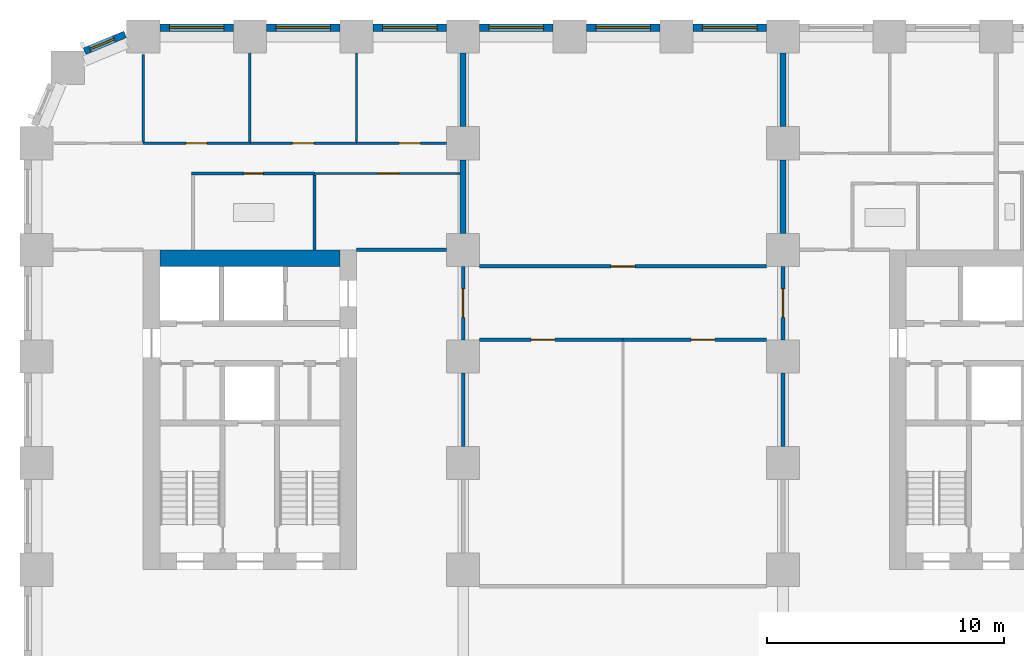
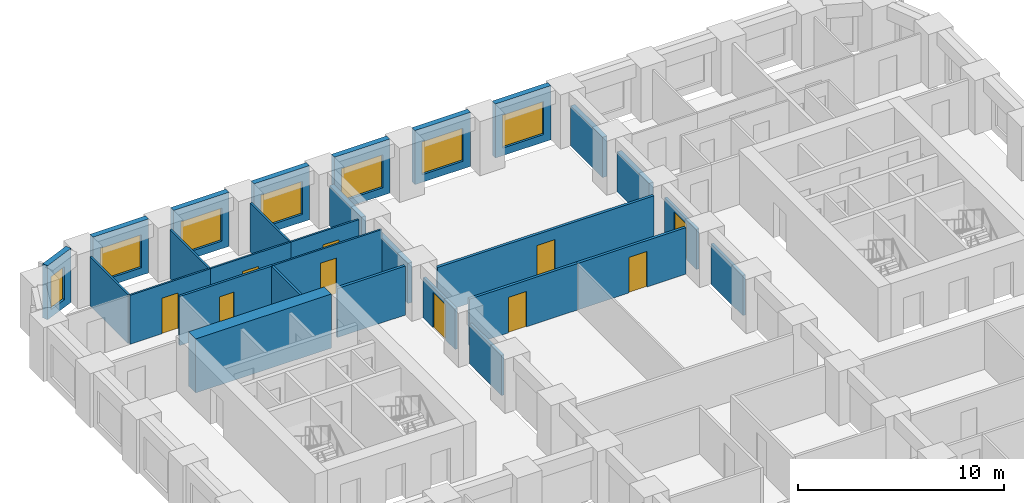
# One storey, part 7 of 12: 29 walls, 10 doors, 7 windows, 17 openings.
"""IFC4 building model written with IfcOpenShell, lengths in metres."""

import ifcopenshell
import ifcopenshell.guid

model = None  # the IFC model being written
_history = None  # IfcOwnerHistory: only IFC2X3 demands one
_inside = {}  # id of a spatial element -> (the spatial element, [elements in it])
_under = {}  # id of a project, library or spatial element -> (it, [spatial elements below it])
_declared = {}  # id of a project -> (the project, [libraries it declares])
_typed = {}  # id of a type object -> (the type object, [elements of that type])
_made_of = {}  # id of a material, layer set ... -> (it, [elements and type objects made of it])


def new_model(schema):
    """Start an empty IFC model of exactly this schema.

    Asked for "IFC4X3", IfcOpenShell would pick the latest addendum, in which some entities
    have other attributes; the version numbers below select the first issue.
    IFC2X3 requires an IfcOwnerHistory on every rooted entity: one is made here for all.
    """
    global model, _history
    if schema == "IFC4X3":
        model = ifcopenshell.file(schema_version=(4, 3, 0, 0))
    else:
        model = ifcopenshell.file(schema=schema)
    _inside.clear()
    _under.clear()
    _declared.clear()
    _typed.clear()
    _made_of.clear()
    _history = None
    if model.schema == "IFC2X3":
        org = make("IfcOrganization", Name="unknown")
        user = make(
            "IfcPersonAndOrganization",
            ThePerson=make("IfcPerson", FamilyName="unknown"),
            TheOrganization=org,
        )
        app = make(
            "IfcApplication",
            ApplicationDeveloper=org,
            Version="unknown",
            ApplicationFullName="unknown",
            ApplicationIdentifier="unknown",
        )
        _history = make(
            "IfcOwnerHistory",
            OwningUser=user,
            OwningApplication=app,
            ChangeAction="ADDED",
            CreationDate=0,
        )
    return model


def make(cls, **values):
    """One entity of the class cls with the attributes given. An attribute that is None is left unset."""
    return model.create_entity(
        cls, **{name: value for name, value in values.items() if value is not None}
    )


def rooted(cls, **values):
    """An entity with a GlobalId (a new one), such as an element, a storey or a relation."""
    return make(cls, GlobalId=ifcopenshell.guid.new(), OwnerHistory=_history, **values)


def si_unit(unit_type, name, prefix=None):
    """IfcSIUnit, for example si_unit("LENGTHUNIT", "METRE", prefix="MILLI")."""
    return make("IfcSIUnit", UnitType=unit_type, Prefix=prefix, Name=name)


def assignment(units):
    """IfcUnitAssignment: the units of a project."""
    return None if units is None else make("IfcUnitAssignment", Units=units)


def point(xyz):
    """IfcCartesianPoint."""
    return None if xyz is None else make("IfcCartesianPoint", Coordinates=xyz)


def direction(xyz):
    """IfcDirection."""
    return None if xyz is None else make("IfcDirection", DirectionRatios=xyz)


def frame(location, z_axis=None, x_axis=None):
    """IfcAxis2Placement3D, a coordinate frame: its origin and axes. An axis left out is left unset."""
    return make(
        "IfcAxis2Placement3D",
        Location=point(location),
        Axis=direction(z_axis),
        RefDirection=direction(x_axis),
    )


def frame_2d(location, x_axis=None):
    """IfcAxis2Placement2D, a coordinate frame in the plane: its origin and x axis."""
    return make(
        "IfcAxis2Placement2D", Location=point(location), RefDirection=direction(x_axis)
    )


def origin():
    """The frame at (0, 0, 0) with its axes left unset."""
    return frame((0.0, 0.0, 0.0))


def place(relative_to, where):
    """IfcLocalPlacement: puts the frame where relative to a parent placement (None: the world)."""
    return make(
        "IfcLocalPlacement", PlacementRelTo=relative_to, RelativePlacement=where
    )


def context(
    kind, dimensions, precision=None, world=None, true_north=None, identifier=None
):
    """IfcGeometricRepresentationContext, for example the 3D "Model" context."""
    return make(
        "IfcGeometricRepresentationContext",
        ContextIdentifier=identifier,
        ContextType=kind,
        CoordinateSpaceDimension=dimensions,
        Precision=precision,
        WorldCoordinateSystem=world,
        TrueNorth=true_north,
    )


def subcontext(parent, identifier, kind, view, scale=None):
    """IfcGeometricRepresentationSubContext, for example "Body" below "Model"."""
    return make(
        "IfcGeometricRepresentationSubContext",
        ContextIdentifier=identifier,
        ContextType=kind,
        ParentContext=parent,
        TargetScale=scale,
        TargetView=view,
    )


def project(units=None, contexts=None):
    """IfcProject with its units and contexts."""
    return rooted(
        "IfcProject",
        Name="project",
        RepresentationContexts=contexts,
        UnitsInContext=assignment(units),
    )


def spatial(cls, under=None, at=None, **own):
    """A site, building, storey or space (cls), placed at a placement, below another one or the project."""
    s = rooted(cls, ObjectPlacement=at, **own)
    if under is not None:
        _under.setdefault(under.id(), (under, []))[1].append(s)
    return s


def profile(cls, at=None, kind="AREA", **sizes):
    """A parametric profile (cls). Its sizes go by their IFC names, for example OverallWidth=200.0."""
    return make(cls, ProfileType=kind, Position=at, **sizes)


def rectangle(**sizes):
    """IfcRectangleProfileDef."""
    return profile("IfcRectangleProfileDef", **sizes)


def extrude(swept, where, along, depth):
    """IfcExtrudedAreaSolid: the profile swept, set in the frame where, extruded along a direction by depth."""
    return make(
        "IfcExtrudedAreaSolid",
        SweptArea=swept,
        Position=where,
        ExtrudedDirection=direction(along),
        Depth=depth,
    )


def shape(context_of_items, identifier, shape_type, items):
    """IfcShapeRepresentation: the items that make up one representation, for example the "Body"."""
    return make(
        "IfcShapeRepresentation",
        ContextOfItems=context_of_items,
        RepresentationIdentifier=identifier,
        RepresentationType=shape_type,
        Items=items,
    )


def material(Name=None, Category=None):
    """IfcMaterial."""
    return make("IfcMaterial", Name=Name, Category=Category)


def layer(
    of_material, thickness, ventilated=None, Name=None, Category=None, Priority=None
):
    """IfcMaterialLayer: one layer of a wall or slab, of a material (None: an air gap)."""
    return make(
        "IfcMaterialLayer",
        Material=of_material,
        LayerThickness=thickness,
        IsVentilated=ventilated,
        Name=Name,
        Category=Category,
        Priority=Priority,
    )


def layer_set(layers, Name=None):
    """IfcMaterialLayerSet."""
    return make("IfcMaterialLayerSet", MaterialLayers=layers, LayerSetName=Name)


def made_of(thing, what):
    """Note that an element or type object is made of a material, layer set ...; save() writes the relation."""
    if what is not None:
        _made_of.setdefault(what.id(), (what, []))[1].append(thing)
    return thing


def type_object(cls, material=None, **own):
    """A type object (cls), such as IfcWallType, which elements share."""
    return made_of(rooted(cls, **own), material)


def element(
    cls,
    number,
    at=None,
    inside=None,
    cuts=None,
    type_object=None,
    material=None,
    context=None,
    identifier="Body",
    shape_type=None,
    held_by="IfcProductDefinitionShape",
    body=None,
    shapes=None,
    **own,
):
    """One element of the class cls, such as IfcWall. Its Tag is "e" and its number.

    at: its placement. inside: the storey or other place that contains it. cuts: it is an
    opening in that element (IfcRelVoidsElement). A single representation is given by context,
    identifier, shape_type and body (its items); several are given by shapes. held_by: the class
    of the entity that holds the representations. save() writes the other relations.
    """
    e = rooted(cls, Tag="e%d" % number, ObjectPlacement=at, **own)
    if body is not None:
        shapes = [shape(context, identifier, shape_type, body)]
    if shapes is not None:
        e.Representation = make(held_by, Representations=shapes)
    if inside is not None:
        _inside.setdefault(inside.id(), (inside, []))[1].append(e)
    if cuts is not None:
        rooted(
            "IfcRelVoidsElement", RelatingBuildingElement=cuts, RelatedOpeningElement=e
        )
    if type_object is not None:
        _typed.setdefault(type_object.id(), (type_object, []))[1].append(e)
    return made_of(e, material)


def fill(opening, filler):
    """IfcRelFillsElement: the door or window that sits in an opening."""
    return rooted(
        "IfcRelFillsElement",
        RelatingOpeningElement=opening,
        RelatedBuildingElement=filler,
    )


def aggregate(whole, parts):
    """IfcRelAggregates: a whole, such as a stair, and the parts it consists of."""
    return rooted("IfcRelAggregates", RelatingObject=whole, RelatedObjects=parts)


def save(model, path):
    """Write the relations noted so far, then the file.

    IfcRelAggregates (storeys below a building ...), IfcRelContainedInSpatialStructure (elements
    in a storey), IfcRelDefinesByType, IfcRelAssociatesMaterial and IfcRelDeclares: one each for
    every whole, place, type object, material and project.
    """
    for whole, parts in _under.values():
        aggregate(whole, parts)
    for where, things in _inside.values():
        rooted(
            "IfcRelContainedInSpatialStructure",
            RelatedElements=things,
            RelatingStructure=where,
        )
    for kind, things in _typed.values():
        rooted("IfcRelDefinesByType", RelatedObjects=things, RelatingType=kind)
    for what, things in _made_of.values():
        rooted("IfcRelAssociatesMaterial", RelatedObjects=things, RelatingMaterial=what)
    for by, libraries in _declared.values():
        rooted("IfcRelDeclares", RelatingContext=by, RelatedDefinitions=libraries)
    model.write(path)


model = new_model("IFC4")

# Units and contexts
model_context = context("Model", 3, precision=1e-05, world=origin(), true_north=direction((0.0, 1.0)))
body_context = subcontext(model_context, "Body", "Model", "MODEL_VIEW")
ifc_project = project(units=[si_unit("LENGTHUNIT", "METRE"), si_unit("AREAUNIT", "SQUARE_METRE"), si_unit("VOLUMEUNIT", "CUBIC_METRE"), si_unit("PLANEANGLEUNIT", "RADIAN"), si_unit("MASSUNIT", "GRAM", prefix="KILO")], contexts=[model_context])

# Site, building, storey
site_placement = place(None, origin())
site = spatial("IfcSite", under=ifc_project, at=site_placement, CompositionType="ELEMENT")
building_placement = place(site_placement, origin())
building = spatial("IfcBuilding", under=site, at=building_placement, Name="Girih Gate Residences", CompositionType="ELEMENT")
storey_placement = place(building_placement, frame((0.0, 0.0, 36.800048828125)))
storey = spatial("IfcBuildingStorey", under=building, at=storey_placement, Name="L08", CompositionType="ELEMENT", Elevation=36.800048828125)

# Walls
ifc_material_1 = material(Name="Gypsum board on steel studs", Category="steel")
ifc_layer_1 = layer(ifc_material_1, 0.25)
ifc_layer_set_1 = layer_set([ifc_layer_1], Name="Acoustic separating wall 250 mm")
wall_type_1 = type_object("IfcWallType", Name="Acoustic separating wall 250 mm", PredefinedType="PARTITIONING", material=ifc_layer_set_1)
for number, where, z_axis, x_axis, name in (
    (1, (18.0, 45.699951171875, 0.0), (0.0, 0.0, 1.0), (0.0, 1.0, 0.0), "L08 partition"),
    (2, (18.0, 41.199951171875, 0.0), (0.0, 0.0, 1.0), (0.0, 1.0, 0.0), "L08 partition"),
    (3, (31.5, 41.199951171875, 0.0), (0.0, 0.0, 1.0), (0.0, 1.0, 0.0), "L08 partition"),
    (4, (31.5, 45.699951171875, 0.0), (0.0, 0.0, 1.0), (0.0, 1.0, 0.0), "L08 partition"),
):
    element("IfcWall", number, at=place(storey_placement, frame(where, z_axis=z_axis, x_axis=x_axis)), inside=storey, type_object=wall_type_1, Name=name, PredefinedType="PARTITIONING", context=body_context, shape_type="SweptSolid", body=[
        extrude(rectangle(XDim=3.10009765625, YDim=0.25, at=frame_2d((1.550048828125, 0.0))), origin(), (0.0, 0.0, 1.0), 2.3798828125),
    ])
ifc_layer_2 = layer(ifc_material_1, 0.14990234375)
ifc_layer_set_2 = layer_set([ifc_layer_2], Name="Compartment wall 150 mm")
wall_type_2 = type_object("IfcWallType", Name="Compartment wall 150 mm", PredefinedType="PARTITIONING", material=ifc_layer_set_2)
wall_1_placement = place(storey_placement, frame((13.5, 40.5, 0.0), z_axis=(0.0, 0.0, 1.0), x_axis=(1.0, 0.0, 0.0)))
element("IfcWall", 5, at=wall_1_placement, inside=storey, type_object=wall_type_2, Name="L08 partition", PredefinedType="PARTITIONING", context=body_context, shape_type="SweptSolid", body=[
    extrude(rectangle(XDim=3.800048828125, YDim=0.14990234375, at=frame_2d((1.89990234375, 0.0))), origin(), (0.0, 0.0, 1.0), 2.89990234375),
])

# Wall, opening, door
wall_2_placement = place(storey_placement, frame((18.699951171875, 39.800048828125, 0.0), z_axis=(0.0, 0.0, 1.0), x_axis=(1.0, 0.0, 0.0)))
wall_2 = element("IfcWall", 6, at=wall_2_placement, inside=storey, type_object=wall_type_2, Name="L08 partition", PredefinedType="PARTITIONING", context=body_context, shape_type="SweptSolid", body=[
    extrude(rectangle(XDim=12.10009765625, YDim=0.14990234375, at=frame_2d((6.050048828125, 0.0))), origin(), (0.0, 0.0, 1.0), 2.75),
])
opening_1_placement = place(wall_2_placement, frame((5.550048828125, 0.0, 0.0)))
opening_1 = element("IfcOpeningElement", 7, at=opening_1_placement, cuts=wall_2, Name="Opening A08-035", PredefinedType="OPENING", context=body_context, shape_type="SweptSolid", body=[
    extrude(rectangle(XDim=1.0, YDim=2.10009765625, at=frame_2d((0.5, 1.050048828125))), frame((0.0, 0.0849609375, 0.0), z_axis=(0.0, -1.0, 0.0), x_axis=(1.0, 0.0, 0.0)), (0.0, 0.0, 1.0), 0.169921875),
])
ifc_material_2 = material(Name="Timber, fire-rated core", Category="wood")
door_type_1 = type_object("IfcDoorType", Name="Amenity room door 1000x2100 FD30S", OperationType="NOTDEFINED", PredefinedType="DOOR", material=ifc_material_2)
door_1_placement = place(opening_1_placement, origin())
door_1 = element("IfcDoor", 8, at=door_1_placement, inside=storey, type_object=door_type_1, Name="Door A08-035", OperationType="SINGLE_SWING_RIGHT", OverallHeight=2.10009765625, OverallWidth=1.0, PredefinedType="DOOR", context=body_context, shape_type="SweptSolid", body=[
    extrude(rectangle(XDim=1.0, YDim=2.10009765625, at=frame_2d((0.5, 1.050048828125))), frame((0.0, 0.02490234375, 0.0), z_axis=(0.0, -1.0, 0.0), x_axis=(1.0, 0.0, 0.0)), (0.0, 0.0, 1.0), 0.050048828125),
])
fill(opening_1, door_1)

wall_3_placement = place(storey_placement, frame((24.75, 36.699951171875, 0.0), z_axis=(0.0, 0.0, 1.0), x_axis=(-1.0, 0.0, 0.0)))
wall_3 = element("IfcWall", 9, at=wall_3_placement, inside=storey, type_object=wall_type_2, Name="L08 partition", PredefinedType="PARTITIONING", context=body_context, shape_type="SweptSolid", body=[
    extrude(rectangle(XDim=6.050048828125, YDim=0.14990234375, at=frame_2d((3.02490234375, 0.0))), origin(), (0.0, 0.0, 1.0), 2.75),
])
opening_2_placement = place(wall_3_placement, frame((2.875, 0.0, 0.0)))
opening_2 = element("IfcOpeningElement", 10, at=opening_2_placement, cuts=wall_3, Name="Opening A08-036", PredefinedType="OPENING", context=body_context, shape_type="SweptSolid", body=[
    extrude(rectangle(XDim=1.0, YDim=2.10009765625, at=frame_2d((0.5, 1.050048828125))), frame((0.0, 0.0849609375, 0.0), z_axis=(0.0, -1.0, 0.0), x_axis=(1.0, 0.0, 0.0)), (0.0, 0.0, 1.0), 0.169921875),
])
door_2_placement = place(opening_2_placement, origin())
door_2 = element("IfcDoor", 11, at=door_2_placement, inside=storey, type_object=door_type_1, Name="Door A08-036", OperationType="SINGLE_SWING_RIGHT", OverallHeight=2.10009765625, OverallWidth=1.0, PredefinedType="DOOR", context=body_context, shape_type="SweptSolid", body=[
    extrude(rectangle(XDim=1.0, YDim=2.10009765625, at=frame_2d((0.5, 1.050048828125))), frame((0.0, 0.02490234375, 0.0), z_axis=(0.0, -1.0, 0.0), x_axis=(1.0, 0.0, 0.0)), (0.0, 0.0, 1.0), 0.050048828125),
])
fill(opening_2, door_2)

wall_4_placement = place(storey_placement, frame((30.800048828125, 36.699951171875, 0.0), z_axis=(0.0, 0.0, 1.0), x_axis=(-1.0, 0.0, 0.0)))
wall_4 = element("IfcWall", 12, at=wall_4_placement, inside=storey, type_object=wall_type_2, Name="L08 partition", PredefinedType="PARTITIONING", context=body_context, shape_type="SweptSolid", body=[
    extrude(rectangle(XDim=6.050048828125, YDim=0.14990234375, at=frame_2d((3.02490234375, 0.0))), origin(), (0.0, 0.0, 1.0), 2.75),
])
opening_3_placement = place(wall_4_placement, frame((2.175048828125, 0.0, 0.0)))
opening_3 = element("IfcOpeningElement", 13, at=opening_3_placement, cuts=wall_4, Name="Opening A08-037", PredefinedType="OPENING", context=body_context, shape_type="SweptSolid", body=[
    extrude(rectangle(XDim=1.0, YDim=2.10009765625, at=frame_2d((0.5, 1.050048828125))), frame((0.0, 0.0849609375, 0.0), z_axis=(0.0, -1.0, 0.0), x_axis=(1.0, 0.0, 0.0)), (0.0, 0.0, 1.0), 0.169921875),
])
door_3_placement = place(opening_3_placement, origin())
door_3 = element("IfcDoor", 14, at=door_3_placement, inside=storey, type_object=door_type_1, Name="Door A08-037", OperationType="SINGLE_SWING_LEFT", OverallHeight=2.10009765625, OverallWidth=1.0, PredefinedType="DOOR", context=body_context, shape_type="SweptSolid", body=[
    extrude(rectangle(XDim=1.0, YDim=2.10009765625, at=frame_2d((0.5, 1.050048828125))), frame((0.0, 0.02490234375, 0.0), z_axis=(0.0, -1.0, 0.0), x_axis=(1.0, 0.0, 0.0)), (0.0, 0.0, 1.0), 0.050048828125),
])
fill(opening_3, door_3)

wall_5_placement = place(storey_placement, frame((31.5, 36.699951171875, 0.0), z_axis=(0.0, 0.0, 1.0), x_axis=(0.0, 1.0, 0.0)))
wall_5 = element("IfcWall", 15, at=wall_5_placement, inside=storey, type_object=wall_type_2, Name="L08 partition", PredefinedType="PARTITIONING", context=body_context, shape_type="SweptSolid", body=[
    extrude(rectangle(XDim=3.10009765625, YDim=0.14990234375, at=frame_2d((1.550048828125, 0.0))), origin(), (0.0, 0.0, 1.0), 2.3798828125),
])
opening_4_placement = place(wall_5_placement, frame((0.949951171875, 0.0, 0.0)))
opening_4 = element("IfcOpeningElement", 16, at=opening_4_placement, cuts=wall_5, Name="Opening A08-038", PredefinedType="OPENING", context=body_context, shape_type="SweptSolid", body=[
    extrude(rectangle(XDim=1.199951171875, YDim=2.10009765625, at=frame_2d((0.60009765625, 1.050048828125))), frame((0.0, 0.0849609375, 0.0), z_axis=(0.0, -1.0, 0.0), x_axis=(1.0, 0.0, 0.0)), (0.0, 0.0, 1.0), 0.169921875),
])
door_type_2 = type_object("IfcDoorType", Name="Corridor fire door 1200x2100 FD30S", OperationType="NOTDEFINED", PredefinedType="DOOR", material=ifc_material_2)
door_4_placement = place(opening_4_placement, origin())
door_4 = element("IfcDoor", 17, at=door_4_placement, inside=storey, type_object=door_type_2, Name="Door A08-038", OperationType="SINGLE_SWING_LEFT", OverallHeight=2.10009765625, OverallWidth=1.199951171875, PredefinedType="DOOR", context=body_context, shape_type="SweptSolid", body=[
    extrude(rectangle(XDim=1.199951171875, YDim=2.10009765625, at=frame_2d((0.60009765625, 1.050048828125))), frame((0.0, 0.02490234375, 0.0), z_axis=(0.0, -1.0, 0.0), x_axis=(1.0, 0.0, 0.0)), (0.0, 0.0, 1.0), 0.050048828125),
])
fill(opening_4, door_4)

wall_6_placement = place(storey_placement, frame((18.0, 39.800048828125, 0.0), z_axis=(0.0, 0.0, 1.0), x_axis=(0.0, -1.0, 0.0)))
wall_6 = element("IfcWall", 18, at=wall_6_placement, inside=storey, type_object=wall_type_2, Name="L08 partition", PredefinedType="PARTITIONING", context=body_context, shape_type="SweptSolid", body=[
    extrude(rectangle(XDim=3.10009765625, YDim=0.14990234375, at=frame_2d((1.550048828125, 0.0))), origin(), (0.0, 0.0, 1.0), 2.3798828125),
])
opening_5_placement = place(wall_6_placement, frame((0.949951171875, 0.0, 0.0)))
opening_5 = element("IfcOpeningElement", 19, at=opening_5_placement, cuts=wall_6, Name="Opening A08-039", PredefinedType="OPENING", context=body_context, shape_type="SweptSolid", body=[
    extrude(rectangle(XDim=1.199951171875, YDim=2.10009765625, at=frame_2d((0.60009765625, 1.050048828125))), frame((0.0, 0.0849609375, 0.0), z_axis=(0.0, -1.0, 0.0), x_axis=(1.0, 0.0, 0.0)), (0.0, 0.0, 1.0), 0.169921875),
])
door_5_placement = place(opening_5_placement, origin())
door_5 = element("IfcDoor", 20, at=door_5_placement, inside=storey, type_object=door_type_2, Name="Door A08-039", OperationType="SINGLE_SWING_LEFT", OverallHeight=2.10009765625, OverallWidth=1.199951171875, PredefinedType="DOOR", context=body_context, shape_type="SweptSolid", body=[
    extrude(rectangle(XDim=1.199951171875, YDim=2.10009765625, at=frame_2d((0.60009765625, 1.050048828125))), frame((0.0, 0.02490234375, 0.0), z_axis=(0.0, -1.0, 0.0), x_axis=(1.0, 0.0, 0.0)), (0.0, 0.0, 1.0), 0.050048828125),
])
fill(opening_5, door_5)

# Walls
for number, where, z_axis, x_axis, name in (
    (21, (18.0, 32.199951171875, 0.0), (0.0, 0.0, 1.0), (0.0, 1.0, 0.0), "L08 partition"),
    (22, (31.5, 32.199951171875, 0.0), (0.0, 0.0, 1.0), (0.0, 1.0, 0.0), "L08 partition"),
):
    element("IfcWall", number, at=place(storey_placement, frame(where, z_axis=z_axis, x_axis=x_axis)), inside=storey, type_object=wall_type_2, Name=name, PredefinedType="PARTITIONING", context=body_context, shape_type="SweptSolid", body=[
        extrude(rectangle(XDim=3.10009765625, YDim=0.14990234375, at=frame_2d((1.550048828125, 0.0))), origin(), (0.0, 0.0, 1.0), 2.3798828125),
    ])
ifc_material_3 = material(Name="Concrete C60/75", Category="concrete")
ifc_layer_3 = layer(ifc_material_3, 0.699951171875)
ifc_layer_set_3 = layer_set([ifc_layer_3], Name="Core wall RC 700 Concrete C60/75")
wall_type_3 = type_object("IfcWallType", Name="Core wall RC 700 Concrete C60/75", PredefinedType="SOLIDWALL", material=ifc_layer_set_3)
wall_7_placement = place(storey_placement, frame((5.199951171875, 40.14990234375, 0.0), z_axis=(0.0, 0.0, 1.0), x_axis=(1.0, 0.0, 0.0)))
element("IfcWall", 23, at=wall_7_placement, inside=storey, type_object=wall_type_3, Name="Core wall W-N L08", PredefinedType="SOLIDWALL", context=body_context, shape_type="SweptSolid", body=[
    extrude(rectangle(XDim=7.60009765625, YDim=0.699951171875, at=frame_2d((3.800048828125, 0.0))), origin(), (0.0, 0.0, 1.0), 3.199951171875),
])
ifc_layer_4 = layer(ifc_material_1, 0.10009765625)
ifc_layer_set_4 = layer_set([ifc_layer_4], Name="Partition 100 mm")
wall_type_4 = type_object("IfcWallType", Name="Partition 100 mm", PredefinedType="PARTITIONING", material=ifc_layer_set_4)
wall_8_placement = place(storey_placement, frame((9.0, 45.050048828125, 0.0), z_axis=(0.0, 0.0, 1.0), x_axis=(0.0, 1.0, 0.0)))
element("IfcWall", 24, at=wall_8_placement, inside=storey, type_object=wall_type_4, Name="L08 partition", PredefinedType="PARTITIONING", context=body_context, shape_type="SweptSolid", body=[
    extrude(rectangle(XDim=3.75, YDim=0.10009765625, at=frame_2d((1.875, 0.0))), origin(), (0.0, 0.0, 1.0), 2.89990234375),
])

# Wall, opening, door
wall_9_placement = place(storey_placement, frame((4.5, 45.0, 0.0), z_axis=(0.0, 0.0, 1.0), x_axis=(1.0, 0.0, 0.0)))
wall_9 = element("IfcWall", 25, at=wall_9_placement, inside=storey, type_object=wall_type_4, Name="L08 partition", PredefinedType="PARTITIONING", context=body_context, shape_type="SweptSolid", body=[
    extrude(rectangle(XDim=4.5, YDim=0.10009765625, at=frame_2d((2.25, 0.0))), origin(), (0.0, 0.0, 1.0), 2.89990234375),
])
opening_6_placement = place(wall_9_placement, frame((1.800048828125, 0.0, 0.0)))
opening_6 = element("IfcOpeningElement", 26, at=opening_6_placement, cuts=wall_9, Name="Opening A08-009", PredefinedType="OPENING", context=body_context, shape_type="SweptSolid", body=[
    extrude(rectangle(XDim=0.89990234375, YDim=2.10009765625, at=frame_2d((0.449951171875, 1.050048828125))), frame((0.0, 0.06005859375, 0.0), z_axis=(0.0, -1.0, 0.0), x_axis=(1.0, 0.0, 0.0)), (0.0, 0.0, 1.0), 0.1201171875),
])
ifc_material_4 = material(Name="Timber", Category="wood")
door_type_3 = type_object("IfcDoorType", Name="Bedroom door 900x2100", OperationType="NOTDEFINED", PredefinedType="DOOR", material=ifc_material_4)
door_6_placement = place(opening_6_placement, origin())
door_6 = element("IfcDoor", 27, at=door_6_placement, inside=storey, type_object=door_type_3, Name="Door A08-009", OperationType="SINGLE_SWING_RIGHT", OverallHeight=2.10009765625, OverallWidth=0.89990234375, PredefinedType="DOOR", context=body_context, shape_type="SweptSolid", body=[
    extrude(rectangle(XDim=0.89990234375, YDim=2.10009765625, at=frame_2d((0.449951171875, 1.050048828125))), frame((0.0, 0.02490234375, 0.0), z_axis=(0.0, -1.0, 0.0), x_axis=(1.0, 0.0, 0.0)), (0.0, 0.0, 1.0), 0.050048828125),
])
fill(opening_6, door_6)

# Walls
wall_10_placement = place(storey_placement, frame((4.5, 45.050048828125, 0.0), z_axis=(0.0, 0.0, 1.0), x_axis=(0.0, 1.0, 0.0)))
element("IfcWall", 28, at=wall_10_placement, inside=storey, type_object=wall_type_4, Name="L08 partition", PredefinedType="PARTITIONING", context=body_context, shape_type="SweptSolid", body=[
    extrude(rectangle(XDim=3.6923828125, YDim=0.10009765625, at=frame_2d((1.84619140625, 0.0))), origin(), (0.0, 0.0, 1.0), 2.89990234375),
])
wall_11_placement = place(storey_placement, frame((13.5, 45.050048828125, 0.0), z_axis=(0.0, 0.0, 1.0), x_axis=(0.0, 1.0, 0.0)))
element("IfcWall", 29, at=wall_11_placement, inside=storey, type_object=wall_type_4, Name="L08 partition", PredefinedType="PARTITIONING", context=body_context, shape_type="SweptSolid", body=[
    extrude(rectangle(XDim=3.75, YDim=0.10009765625, at=frame_2d((1.875, 0.0))), origin(), (0.0, 0.0, 1.0), 2.89990234375),
])

# Wall, opening, door
wall_12_placement = place(storey_placement, frame((9.0, 45.0, 0.0), z_axis=(0.0, 0.0, 1.0), x_axis=(1.0, 0.0, 0.0)))
wall_12 = element("IfcWall", 30, at=wall_12_placement, inside=storey, type_object=wall_type_4, Name="L08 partition", PredefinedType="PARTITIONING", context=body_context, shape_type="SweptSolid", body=[
    extrude(rectangle(XDim=4.5, YDim=0.10009765625, at=frame_2d((2.25, 0.0))), origin(), (0.0, 0.0, 1.0), 2.89990234375),
])
opening_7_placement = place(wall_12_placement, frame((1.800048828125, 0.0, 0.0)))
opening_7 = element("IfcOpeningElement", 31, at=opening_7_placement, cuts=wall_12, Name="Opening A08-010", PredefinedType="OPENING", context=body_context, shape_type="SweptSolid", body=[
    extrude(rectangle(XDim=0.89990234375, YDim=2.10009765625, at=frame_2d((0.449951171875, 1.050048828125))), frame((0.0, 0.06005859375, 0.0), z_axis=(0.0, -1.0, 0.0), x_axis=(1.0, 0.0, 0.0)), (0.0, 0.0, 1.0), 0.1201171875),
])
door_7_placement = place(opening_7_placement, origin())
door_7 = element("IfcDoor", 32, at=door_7_placement, inside=storey, type_object=door_type_3, Name="Door A08-010", OperationType="SINGLE_SWING_LEFT", OverallHeight=2.10009765625, OverallWidth=0.89990234375, PredefinedType="DOOR", context=body_context, shape_type="SweptSolid", body=[
    extrude(rectangle(XDim=0.89990234375, YDim=2.10009765625, at=frame_2d((0.449951171875, 1.050048828125))), frame((0.0, 0.02490234375, 0.0), z_axis=(0.0, -1.0, 0.0), x_axis=(1.0, 0.0, 0.0)), (0.0, 0.0, 1.0), 0.050048828125),
])
fill(opening_7, door_7)

wall_13_placement = place(storey_placement, frame((13.5, 45.0, 0.0), z_axis=(0.0, 0.0, 1.0), x_axis=(1.0, 0.0, 0.0)))
wall_13 = element("IfcWall", 33, at=wall_13_placement, inside=storey, type_object=wall_type_4, Name="L08 partition", PredefinedType="PARTITIONING", context=body_context, shape_type="SweptSolid", body=[
    extrude(rectangle(XDim=3.800048828125, YDim=0.10009765625, at=frame_2d((1.89990234375, 0.0))), origin(), (0.0, 0.0, 1.0), 2.89990234375),
])
opening_8_placement = place(wall_13_placement, frame((1.800048828125, 0.0, 0.0)))
opening_8 = element("IfcOpeningElement", 34, at=opening_8_placement, cuts=wall_13, Name="Opening A08-011", PredefinedType="OPENING", context=body_context, shape_type="SweptSolid", body=[
    extrude(rectangle(XDim=0.89990234375, YDim=2.10009765625, at=frame_2d((0.449951171875, 1.050048828125))), frame((0.0, 0.06005859375, 0.0), z_axis=(0.0, -1.0, 0.0), x_axis=(1.0, 0.0, 0.0)), (0.0, 0.0, 1.0), 0.1201171875),
])
door_8_placement = place(opening_8_placement, origin())
door_8 = element("IfcDoor", 35, at=door_8_placement, inside=storey, type_object=door_type_3, Name="Door A08-011", OperationType="SINGLE_SWING_RIGHT", OverallHeight=2.10009765625, OverallWidth=0.89990234375, PredefinedType="DOOR", context=body_context, shape_type="SweptSolid", body=[
    extrude(rectangle(XDim=0.89990234375, YDim=2.10009765625, at=frame_2d((0.449951171875, 1.050048828125))), frame((0.0, 0.02490234375, 0.0), z_axis=(0.0, -1.0, 0.0), x_axis=(1.0, 0.0, 0.0)), (0.0, 0.0, 1.0), 0.050048828125),
])
fill(opening_8, door_8)

wall_14_placement = place(storey_placement, frame((17.875, 43.719970703125, 0.0), z_axis=(0.0, 0.0, 1.0), x_axis=(-1.0, 0.0, 0.0)))
wall_14 = element("IfcWall", 36, at=wall_14_placement, inside=storey, type_object=wall_type_4, Name="L08 partition", PredefinedType="PARTITIONING", context=body_context, shape_type="SweptSolid", body=[
    extrude(rectangle(XDim=6.14697265625, YDim=0.10009765625, at=frame_2d((3.073486328125, 0.0))), origin(), (0.0, 0.0, 1.0), 2.89990234375),
])
opening_9_placement = place(wall_14_placement, frame((2.56103515625, 0.0, 0.0)))
opening_9 = element("IfcOpeningElement", 37, at=opening_9_placement, cuts=wall_14, Name="Opening A08-012", PredefinedType="OPENING", context=body_context, shape_type="SweptSolid", body=[
    extrude(rectangle(XDim=0.89990234375, YDim=2.10009765625, at=frame_2d((0.449951171875, 1.050048828125))), frame((0.0, 0.06005859375, 0.0), z_axis=(0.0, -1.0, 0.0), x_axis=(1.0, 0.0, 0.0)), (0.0, 0.0, 1.0), 0.1201171875),
])
door_type_4 = type_object("IfcDoorType", Name="Kitchen door 900x2100", OperationType="NOTDEFINED", PredefinedType="DOOR", material=ifc_material_4)
door_9_placement = place(opening_9_placement, origin())
door_9 = element("IfcDoor", 38, at=door_9_placement, inside=storey, type_object=door_type_4, Name="Door A08-012", OperationType="SINGLE_SWING_LEFT", OverallHeight=2.10009765625, OverallWidth=0.89990234375, PredefinedType="DOOR", context=body_context, shape_type="SweptSolid", body=[
    extrude(rectangle(XDim=0.89990234375, YDim=2.10009765625, at=frame_2d((0.449951171875, 1.050048828125))), frame((0.0, 0.02490234375, 0.0), z_axis=(0.0, -1.0, 0.0), x_axis=(1.0, 0.0, 0.0)), (0.0, 0.0, 1.0), 0.050048828125),
])
fill(opening_9, door_9)

# Wall, opening, window
ifc_material_5 = material(Name="Precast concrete C50/60", Category="concrete")
ifc_layer_5 = layer(ifc_material_5, 0.080078125, Name="Outer leaf")
ifc_material_6 = material(Name="Rigid PIR insulation")
ifc_layer_6 = layer(ifc_material_6, 0.14990234375, Name="Insulation")
ifc_material_7 = material(Name="Precast concrete C40/50", Category="concrete")
ifc_layer_7 = layer(ifc_material_7, 0.070068359375, Name="Inner leaf")
ifc_layer_set_5 = layer_set([ifc_layer_5, ifc_layer_6, ifc_layer_7], Name="Precast concrete C50/60 external wall 300")
wall_type_5 = type_object("IfcWallType", Name="Precast concrete C50/60 external wall 300", PredefinedType="SOLIDWALL", material=ifc_layer_set_5)
wall_15_placement = place(storey_placement, frame((27.699951171875, 49.875, 0.0), z_axis=(0.0, 0.0, 1.0), x_axis=(1.0, 0.0, 0.0)))
wall_15 = element("IfcWall", 39, at=wall_15_placement, inside=storey, type_object=wall_type_5, Name="External wall N0450_0495.3", PredefinedType="SOLIDWALL", context=body_context, shape_type="SweptSolid", body=[
    extrude(rectangle(XDim=3.10009765625, YDim=0.300048828125, at=frame_2d((1.550048828125, 0.0))), origin(), (0.0, 0.0, 1.0), 3.199951171875),
])
opening_10_placement = place(wall_15_placement, frame((0.39990234375, 0.0, 0.449951171875)))
opening_10 = element("IfcOpeningElement", 40, at=opening_10_placement, cuts=wall_15, Name="Opening W-1", PredefinedType="OPENING", context=body_context, shape_type="SweptSolid", body=[
    extrude(rectangle(XDim=2.300048828125, YDim=1.949951171875, at=frame_2d((1.14990234375, 0.97509765625))), frame((0.0, 0.159912109375, 0.0), z_axis=(0.0, -1.0, 0.0), x_axis=(1.0, 0.0, 0.0)), (0.0, 0.0, 1.0), 0.320068359375),
])
ifc_material_8 = material(Name="Double glazing in aluminium frame", Category="aluminium")
window_type_1 = type_object("IfcWindowType", Name="Window W-1 2300x1950", PartitioningType="SINGLE_PANEL", PredefinedType="WINDOW", material=ifc_material_8)
window_1_placement = place(opening_10_placement, origin())
window_1 = element("IfcWindow", 41, at=window_1_placement, inside=storey, type_object=window_type_1, Name="Window W-1 N0450_0495.3", OverallHeight=1.949951171875, OverallWidth=2.300048828125, PartitioningType="SINGLE_PANEL", PredefinedType="WINDOW", context=body_context, shape_type="SweptSolid", body=[
    extrude(rectangle(XDim=2.300048828125, YDim=1.949951171875, at=frame_2d((1.14990234375, 0.97509765625))), frame((0.0, 0.030029296875, 0.0), z_axis=(0.0, -1.0, 0.0), x_axis=(1.0, 0.0, 0.0)), (0.0, 0.0, 1.0), 0.06005859375),
])
fill(opening_10, window_1)

wall_16_placement = place(storey_placement, frame((23.199951171875, 49.875, 0.0), z_axis=(0.0, 0.0, 1.0), x_axis=(1.0, 0.0, 0.0)))
wall_16 = element("IfcWall", 42, at=wall_16_placement, inside=storey, type_object=wall_type_5, Name="External wall N0450_0495.4", PredefinedType="SOLIDWALL", context=body_context, shape_type="SweptSolid", body=[
    extrude(rectangle(XDim=3.10009765625, YDim=0.300048828125, at=frame_2d((1.550048828125, 0.0))), origin(), (0.0, 0.0, 1.0), 3.199951171875),
])
opening_11_placement = place(wall_16_placement, frame((0.39990234375, 0.0, 0.449951171875)))
opening_11 = element("IfcOpeningElement", 43, at=opening_11_placement, cuts=wall_16, Name="Opening W-1", PredefinedType="OPENING", context=body_context, shape_type="SweptSolid", body=[
    extrude(rectangle(XDim=2.300048828125, YDim=1.949951171875, at=frame_2d((1.14990234375, 0.97509765625))), frame((0.0, 0.159912109375, 0.0), z_axis=(0.0, -1.0, 0.0), x_axis=(1.0, 0.0, 0.0)), (0.0, 0.0, 1.0), 0.320068359375),
])
window_2_placement = place(opening_11_placement, origin())
window_2 = element("IfcWindow", 44, at=window_2_placement, inside=storey, type_object=window_type_1, Name="Window W-1 N0450_0495.4", OverallHeight=1.949951171875, OverallWidth=2.300048828125, PartitioningType="SINGLE_PANEL", PredefinedType="WINDOW", context=body_context, shape_type="SweptSolid", body=[
    extrude(rectangle(XDim=2.300048828125, YDim=1.949951171875, at=frame_2d((1.14990234375, 0.97509765625))), frame((0.0, 0.030029296875, 0.0), z_axis=(0.0, -1.0, 0.0), x_axis=(1.0, 0.0, 0.0)), (0.0, 0.0, 1.0), 0.06005859375),
])
fill(opening_11, window_2)

wall_17_placement = place(storey_placement, frame((18.699951171875, 49.875, 0.0), z_axis=(0.0, 0.0, 1.0), x_axis=(1.0, 0.0, 0.0)))
wall_17 = element("IfcWall", 45, at=wall_17_placement, inside=storey, type_object=wall_type_5, Name="External wall N0450_0495.5", PredefinedType="SOLIDWALL", context=body_context, shape_type="SweptSolid", body=[
    extrude(rectangle(XDim=3.10009765625, YDim=0.300048828125, at=frame_2d((1.550048828125, 0.0))), origin(), (0.0, 0.0, 1.0), 3.199951171875),
])
opening_12_placement = place(wall_17_placement, frame((0.39990234375, 0.0, 0.449951171875)))
opening_12 = element("IfcOpeningElement", 46, at=opening_12_placement, cuts=wall_17, Name="Opening W-1", PredefinedType="OPENING", context=body_context, shape_type="SweptSolid", body=[
    extrude(rectangle(XDim=2.300048828125, YDim=1.949951171875, at=frame_2d((1.14990234375, 0.97509765625))), frame((0.0, 0.159912109375, 0.0), z_axis=(0.0, -1.0, 0.0), x_axis=(1.0, 0.0, 0.0)), (0.0, 0.0, 1.0), 0.320068359375),
])
window_3_placement = place(opening_12_placement, origin())
window_3 = element("IfcWindow", 47, at=window_3_placement, inside=storey, type_object=window_type_1, Name="Window W-1 N0450_0495.5", OverallHeight=1.949951171875, OverallWidth=2.300048828125, PartitioningType="SINGLE_PANEL", PredefinedType="WINDOW", context=body_context, shape_type="SweptSolid", body=[
    extrude(rectangle(XDim=2.300048828125, YDim=1.949951171875, at=frame_2d((1.14990234375, 0.97509765625))), frame((0.0, 0.030029296875, 0.0), z_axis=(0.0, -1.0, 0.0), x_axis=(1.0, 0.0, 0.0)), (0.0, 0.0, 1.0), 0.06005859375),
])
fill(opening_12, window_3)

wall_18_placement = place(storey_placement, frame((14.199951171875, 49.875, 0.0), z_axis=(0.0, 0.0, 1.0), x_axis=(1.0, 0.0, 0.0)))
wall_18 = element("IfcWall", 48, at=wall_18_placement, inside=storey, type_object=wall_type_5, Name="External wall N0450_0495.6", PredefinedType="SOLIDWALL", context=body_context, shape_type="SweptSolid", body=[
    extrude(rectangle(XDim=3.10009765625, YDim=0.300048828125, at=frame_2d((1.550048828125, 0.0))), origin(), (0.0, 0.0, 1.0), 3.199951171875),
])
opening_13_placement = place(wall_18_placement, frame((0.39990234375, 0.0, 0.449951171875)))
opening_13 = element("IfcOpeningElement", 49, at=opening_13_placement, cuts=wall_18, Name="Opening W-1", PredefinedType="OPENING", context=body_context, shape_type="SweptSolid", body=[
    extrude(rectangle(XDim=2.300048828125, YDim=1.949951171875, at=frame_2d((1.14990234375, 0.97509765625))), frame((0.0, 0.159912109375, 0.0), z_axis=(0.0, -1.0, 0.0), x_axis=(1.0, 0.0, 0.0)), (0.0, 0.0, 1.0), 0.320068359375),
])
window_4_placement = place(opening_13_placement, origin())
window_4 = element("IfcWindow", 50, at=window_4_placement, inside=storey, type_object=window_type_1, Name="Window W-1 N0450_0495.6", OverallHeight=1.949951171875, OverallWidth=2.300048828125, PartitioningType="SINGLE_PANEL", PredefinedType="WINDOW", context=body_context, shape_type="SweptSolid", body=[
    extrude(rectangle(XDim=2.300048828125, YDim=1.949951171875, at=frame_2d((1.14990234375, 0.97509765625))), frame((0.0, 0.030029296875, 0.0), z_axis=(0.0, -1.0, 0.0), x_axis=(1.0, 0.0, 0.0)), (0.0, 0.0, 1.0), 0.06005859375),
])
fill(opening_13, window_4)

wall_19_placement = place(storey_placement, frame((9.699951171875, 49.875, 0.0), z_axis=(0.0, 0.0, 1.0), x_axis=(1.0, 0.0, 0.0)))
wall_19 = element("IfcWall", 51, at=wall_19_placement, inside=storey, type_object=wall_type_5, Name="External wall N0450_0495.7", PredefinedType="SOLIDWALL", context=body_context, shape_type="SweptSolid", body=[
    extrude(rectangle(XDim=3.10009765625, YDim=0.300048828125, at=frame_2d((1.550048828125, 0.0))), origin(), (0.0, 0.0, 1.0), 3.199951171875),
])
opening_14_placement = place(wall_19_placement, frame((0.39990234375, 0.0, 0.449951171875)))
opening_14 = element("IfcOpeningElement", 52, at=opening_14_placement, cuts=wall_19, Name="Opening W-1", PredefinedType="OPENING", context=body_context, shape_type="SweptSolid", body=[
    extrude(rectangle(XDim=2.300048828125, YDim=1.949951171875, at=frame_2d((1.14990234375, 0.97509765625))), frame((0.0, 0.159912109375, 0.0), z_axis=(0.0, -1.0, 0.0), x_axis=(1.0, 0.0, 0.0)), (0.0, 0.0, 1.0), 0.320068359375),
])
window_5_placement = place(opening_14_placement, origin())
window_5 = element("IfcWindow", 53, at=window_5_placement, inside=storey, type_object=window_type_1, Name="Window W-1 N0450_0495.7", OverallHeight=1.949951171875, OverallWidth=2.300048828125, PartitioningType="SINGLE_PANEL", PredefinedType="WINDOW", context=body_context, shape_type="SweptSolid", body=[
    extrude(rectangle(XDim=2.300048828125, YDim=1.949951171875, at=frame_2d((1.14990234375, 0.97509765625))), frame((0.0, 0.030029296875, 0.0), z_axis=(0.0, -1.0, 0.0), x_axis=(1.0, 0.0, 0.0)), (0.0, 0.0, 1.0), 0.06005859375),
])
fill(opening_14, window_5)

wall_20_placement = place(storey_placement, frame((5.199951171875, 49.875, 0.0), z_axis=(0.0, 0.0, 1.0), x_axis=(1.0, 0.0, 0.0)))
wall_20 = element("IfcWall", 54, at=wall_20_placement, inside=storey, type_object=wall_type_5, Name="External wall N0450_0495.8", PredefinedType="SOLIDWALL", context=body_context, shape_type="SweptSolid", body=[
    extrude(rectangle(XDim=3.10009765625, YDim=0.300048828125, at=frame_2d((1.550048828125, 0.0))), origin(), (0.0, 0.0, 1.0), 3.199951171875),
])
opening_15_placement = place(wall_20_placement, frame((0.39990234375, 0.0, 0.449951171875)))
opening_15 = element("IfcOpeningElement", 55, at=opening_15_placement, cuts=wall_20, Name="Opening W-1", PredefinedType="OPENING", context=body_context, shape_type="SweptSolid", body=[
    extrude(rectangle(XDim=2.300048828125, YDim=1.949951171875, at=frame_2d((1.14990234375, 0.97509765625))), frame((0.0, 0.159912109375, 0.0), z_axis=(0.0, -1.0, 0.0), x_axis=(1.0, 0.0, 0.0)), (0.0, 0.0, 1.0), 0.320068359375),
])
window_6_placement = place(opening_15_placement, origin())
window_6 = element("IfcWindow", 56, at=window_6_placement, inside=storey, type_object=window_type_1, Name="Window W-1 N0450_0495.8", OverallHeight=1.949951171875, OverallWidth=2.300048828125, PartitioningType="SINGLE_PANEL", PredefinedType="WINDOW", context=body_context, shape_type="SweptSolid", body=[
    extrude(rectangle(XDim=2.300048828125, YDim=1.949951171875, at=frame_2d((1.14990234375, 0.97509765625))), frame((0.0, 0.030029296875, 0.0), z_axis=(0.0, -1.0, 0.0), x_axis=(1.0, 0.0, 0.0)), (0.0, 0.0, 1.0), 0.06005859375),
])
fill(opening_15, window_6)

wall_21_placement = place(storey_placement, frame((2.01953125, 48.87841796875, 0.0), z_axis=(0.0, 0.0, 1.0), x_axis=(0.923903565336, 0.38262540684, 0.0)))
wall_21 = element("IfcWall", 57, at=wall_21_placement, inside=storey, type_object=wall_type_5, Name="External wall NW0045_0495.0", PredefinedType="SOLIDWALL", context=body_context, shape_type="SweptSolid", body=[
    extrude(rectangle(XDim=1.864990234375, YDim=0.300048828125, at=frame_2d((0.9326171875, 0.0))), origin(), (0.0, 0.0, 1.0), 3.199951171875),
])
opening_16_placement = place(wall_21_placement, frame((0.257568359375, 0.0, 0.449951171875)))
opening_16 = element("IfcOpeningElement", 58, at=opening_16_placement, cuts=wall_21, Name="Opening W-2C", PredefinedType="OPENING", context=body_context, shape_type="SweptSolid", body=[
    extrude(rectangle(XDim=1.10009765625, YDim=1.949951171875, at=frame_2d((0.550048828125, 0.97509765625))), frame((0.0, 0.159912109375, 0.0), z_axis=(0.0, -1.0, 0.0), x_axis=(1.0, 0.0, 0.0)), (0.0, 0.0, 1.0), 0.320068359375),
])
window_type_2 = type_object("IfcWindowType", Name="Window W-2C 1100x1950", PartitioningType="SINGLE_PANEL", PredefinedType="WINDOW", material=ifc_material_8)
window_7_placement = place(opening_16_placement, origin())
window_7 = element("IfcWindow", 59, at=window_7_placement, inside=storey, type_object=window_type_2, Name="Window W-2C NW0045_0495.0", OverallHeight=1.949951171875, OverallWidth=1.10009765625, PartitioningType="SINGLE_PANEL", PredefinedType="WINDOW", context=body_context, shape_type="SweptSolid", body=[
    extrude(rectangle(XDim=1.10009765625, YDim=1.949951171875, at=frame_2d((0.550048828125, 0.97509765625))), frame((0.0, 0.030029296875, 0.0), z_axis=(0.0, -1.0, 0.0), x_axis=(1.0, 0.0, 0.0)), (0.0, 0.0, 1.0), 0.06005859375),
])
fill(opening_16, window_7)

# Wall, opening, door
ifc_layer_8 = layer(ifc_material_1, 0.125)
ifc_layer_set_6 = layer_set([ifc_layer_8], Name="Wet room wall 125 mm")
wall_type_6 = type_object("IfcWallType", Name="Wet room wall 125 mm", PredefinedType="PARTITIONING", material=ifc_layer_set_6)
wall_22_placement = place(storey_placement, frame((11.72802734375, 43.719970703125, 0.0), z_axis=(0.0, 0.0, 1.0), x_axis=(-1.0, 0.0, 0.0)))
wall_22 = element("IfcWall", 60, at=wall_22_placement, inside=storey, type_object=wall_type_6, Name="L08 partition", PredefinedType="PARTITIONING", context=body_context, shape_type="SweptSolid", body=[
    extrude(rectangle(XDim=5.1904296875, YDim=0.125, at=frame_2d((2.59521484375, 0.0))), origin(), (0.0, 0.0, 1.0), 2.89990234375),
])
opening_17_placement = place(wall_22_placement, frame((2.1640625, 0.0, 0.0)))
opening_17 = element("IfcOpeningElement", 61, at=opening_17_placement, cuts=wall_22, Name="Opening A08-008", PredefinedType="OPENING", context=body_context, shape_type="SweptSolid", body=[
    extrude(rectangle(XDim=0.800048828125, YDim=2.10009765625, at=frame_2d((0.39990234375, 1.050048828125))), frame((0.0, 0.072509765625, 0.0), z_axis=(0.0, -1.0, 0.0), x_axis=(1.0, 0.0, 0.0)), (0.0, 0.0, 1.0), 0.14501953125),
])
door_type_5 = type_object("IfcDoorType", Name="Bathroom door 800x2100", OperationType="NOTDEFINED", PredefinedType="DOOR", material=ifc_material_4)
door_10_placement = place(opening_17_placement, origin())
door_10 = element("IfcDoor", 62, at=door_10_placement, inside=storey, type_object=door_type_5, Name="Door A08-008", OperationType="SINGLE_SWING_LEFT", OverallHeight=2.10009765625, OverallWidth=0.800048828125, PredefinedType="DOOR", context=body_context, shape_type="SweptSolid", body=[
    extrude(rectangle(XDim=0.800048828125, YDim=2.10009765625, at=frame_2d((0.39990234375, 1.050048828125))), frame((0.0, 0.02490234375, 0.0), z_axis=(0.0, -1.0, 0.0), x_axis=(1.0, 0.0, 0.0)), (0.0, 0.0, 1.0), 0.050048828125),
])
fill(opening_17, door_10)

# Wall
wall_23_placement = place(storey_placement, frame((11.72802734375, 40.5, 0.0), z_axis=(0.0, 0.0, 1.0), x_axis=(0.0, 1.0, 0.0)))
element("IfcWall", 63, at=wall_23_placement, inside=storey, type_object=wall_type_6, Name="L08 partition", PredefinedType="PARTITIONING", context=body_context, shape_type="SweptSolid", body=[
    extrude(rectangle(XDim=3.157470703125, YDim=0.125, at=frame_2d((1.57861328125, 0.0))), origin(), (0.0, 0.0, 1.0), 2.89990234375),
])

save(model, "model.ifc")
